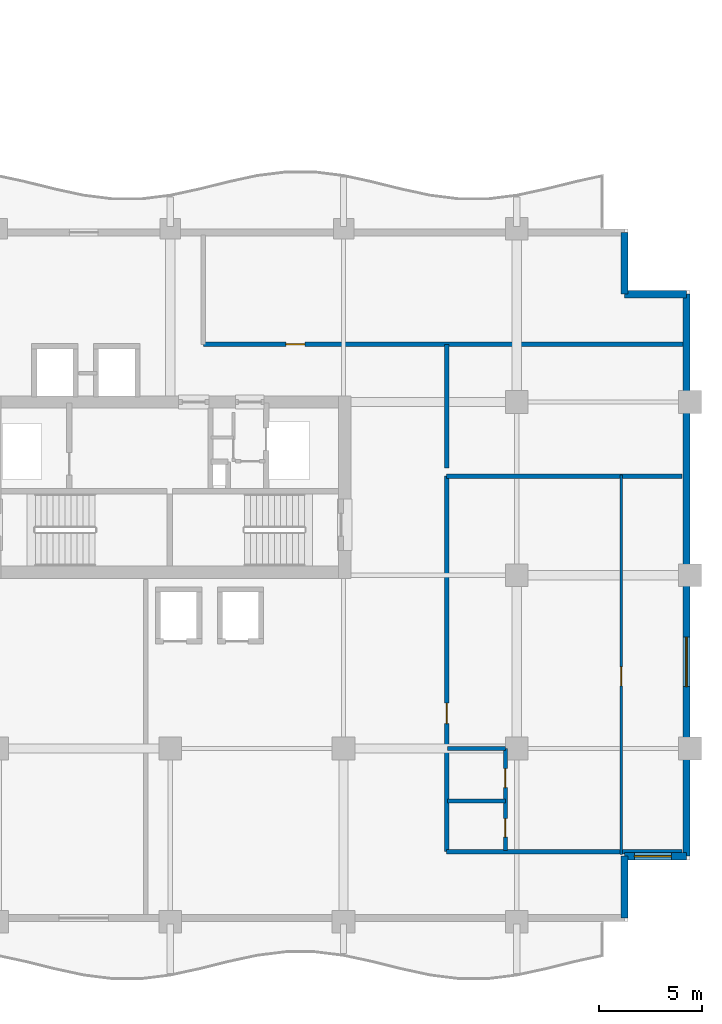
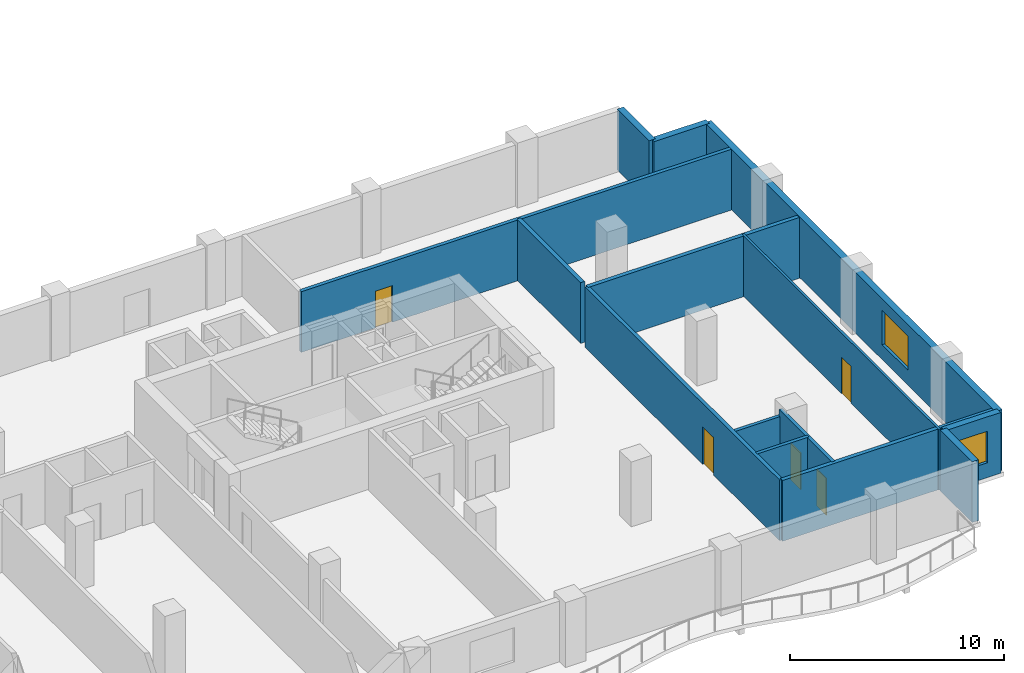
# One storey, part 9 of 15: 14 walls, 5 doors, 2 windows, 7 openings.
"""IFC4 building model written with IfcOpenShell, lengths in metres."""

from ifc_helpers import new_model, si_unit, direction, frame, frame_2d, origin, place, context, subcontext, project, spatial, rectangle, extrude, material, layer, layer_set, type_object, element, fill, save


model = new_model("IFC4")

# Units and contexts
model_context = context("Model", 3, precision=1e-05, world=origin(), true_north=direction((0.0, 1.0)))
body_context = subcontext(model_context, "Body", "Model", "MODEL_VIEW")
ifc_project = project(units=[si_unit("LENGTHUNIT", "METRE"), si_unit("AREAUNIT", "SQUARE_METRE"), si_unit("VOLUMEUNIT", "CUBIC_METRE"), si_unit("PLANEANGLEUNIT", "RADIAN"), si_unit("MASSUNIT", "GRAM", prefix="KILO")], contexts=[model_context])

# Site, building, storey
site_placement = place(None, origin())
site = spatial("IfcSite", under=ifc_project, at=site_placement, CompositionType="ELEMENT")
building_placement = place(site_placement, origin())
building = spatial("IfcBuilding", under=site, at=building_placement, Name="Koriwani Terraces Tower", CompositionType="ELEMENT")
storey_placement = place(building_placement, frame((0.0, 0.0, 193.89990234375)))
storey = spatial("IfcBuildingStorey", under=building, at=storey_placement, Name="L47", CompositionType="ELEMENT", Elevation=193.89990234375)

# Wall, opening, door
ifc_material_1 = material(Name="Autoclaved Cellular Concrete Blockwork", Category="masonry")
ifc_layer_1 = layer(ifc_material_1, 0.199951171875, Name="Autoclaved Cellular Concrete Blockwork")
ifc_layer_set_1 = layer_set([ifc_layer_1], Name="Autoclaved Cellular Concrete Blockwork")
wall_type_1 = type_object("IfcWallType", Name="WALL_CORRIDOR_200", PredefinedType="PARTITIONING", material=ifc_layer_set_1)
wall_1_placement = place(storey_placement, frame((63.800048828125, 3.39990234375, 0.0), z_axis=(0.0, 0.0, 1.0), x_axis=(0.0, 1.0, 0.0)))
wall_1 = element("IfcWall", 1, at=wall_1_placement, inside=storey, type_object=wall_type_1, Name="L47 Interior Wall WGB-L47-SETIP-W", PredefinedType="PARTITIONING", context=body_context, shape_type="SweptSolid", body=[
    extrude(rectangle(XDim=18.2001953125, YDim=0.199951171875, at=frame_2d((9.10009765625, 0.0))), origin(), (0.0, 0.0, 1.0), 3.47021484375),
])
opening_1_placement = place(wall_1_placement, frame((6.199951171875, 0.0, 0.0)))
opening_1 = element("IfcOpeningElement", 2, at=opening_1_placement, cuts=wall_1, Name="Opening D-05", PredefinedType="OPENING", context=body_context, shape_type="SweptSolid", body=[
    extrude(rectangle(XDim=1.0, YDim=2.14990234375, at=frame_2d((0.5, 1.074951171875))), frame((0.0, 0.10986328125, 0.0), z_axis=(0.0, -1.0, 0.0), x_axis=(1.0, 0.0, 0.0)), (0.0, 0.0, 1.0), 0.219970703125),
])
ifc_material_2 = material(Name="Architectural Oak Fire Door", Category="wood")
door_type_1 = type_object("IfcDoorType", Name="DOOR_SUITE_ENTRY_1000X2150", OperationType="NOTDEFINED", PredefinedType="DOOR", material=ifc_material_2)
door_1_placement = place(opening_1_placement, origin())
door_1 = element("IfcDoor", 3, at=door_1_placement, inside=storey, type_object=door_type_1, Name="Grand Apartment 47ET Entrance Door", OperationType="SINGLE_SWING_LEFT", OverallHeight=2.14990234375, OverallWidth=1.0, PredefinedType="DOOR", context=body_context, shape_type="SweptSolid", body=[
    extrude(rectangle(XDim=1.0, YDim=2.14990234375, at=frame_2d((0.5, 1.074951171875))), frame((0.0, 0.02490234375, 0.0), z_axis=(0.0, -1.0, 0.0), x_axis=(1.0, 0.0, 0.0)), (0.0, 0.0, 1.0), 0.050048828125),
])
fill(opening_1, door_1)

wall_2_placement = place(storey_placement, frame((52.0, 28.0, 0.0), z_axis=(0.0, 0.0, 1.0), x_axis=(1.0, 0.0, 0.0)))
wall_2 = element("IfcWall", 4, at=wall_2_placement, inside=storey, type_object=wall_type_1, Name="L47 Interior Wall WSET2-S-L47", PredefinedType="PARTITIONING", context=body_context, shape_type="SweptSolid", body=[
    extrude(rectangle(XDim=23.25, YDim=0.199951171875, at=frame_2d((11.625, 0.0))), origin(), (0.0, 0.0, 1.0), 3.47021484375),
])
opening_2_placement = place(wall_2_placement, frame((4.0, 0.0, 0.0)))
opening_2 = element("IfcOpeningElement", 5, at=opening_2_placement, cuts=wall_2, Name="Opening D-06", PredefinedType="OPENING", context=body_context, shape_type="SweptSolid", body=[
    extrude(rectangle(XDim=0.919921875, YDim=2.10009765625, at=frame_2d((0.4599609375, 1.050048828125))), frame((0.0, 0.10986328125, 0.0), z_axis=(0.0, -1.0, 0.0), x_axis=(1.0, 0.0, 0.0)), (0.0, 0.0, 1.0), 0.219970703125),
])
door_type_2 = type_object("IfcDoorType", Name="DOOR_ROOM_INT_920X2100", OperationType="NOTDEFINED", PredefinedType="DOOR", material=ifc_material_2)
door_2_placement = place(opening_2_placement, origin())
door_2 = element("IfcDoor", 6, at=door_2_placement, inside=storey, type_object=door_type_2, Name="L47 East Court Salon Door", OperationType="SINGLE_SWING_LEFT", OverallHeight=2.10009765625, OverallWidth=0.919921875, PredefinedType="DOOR", context=body_context, shape_type="SweptSolid", body=[
    extrude(rectangle(XDim=0.919921875, YDim=2.10009765625, at=frame_2d((0.4599609375, 1.050048828125))), frame((0.0, 0.02490234375, 0.0), z_axis=(0.0, -1.0, 0.0), x_axis=(1.0, 0.0, 0.0)), (0.0, 0.0, 1.0), 0.050048828125),
])
fill(opening_2, door_2)

# Walls
ifc_layer_2 = layer(ifc_material_1, 0.219970703125, Name="Autoclaved Cellular Concrete Blockwork")
ifc_layer_set_2 = layer_set([ifc_layer_2], Name="Autoclaved Cellular Concrete Blockwork")
wall_type_2 = type_object("IfcWallType", Name="WALL_DEMISING_220", PredefinedType="PARTITIONING", material=ifc_layer_set_2)
for number, where, z_axis, x_axis, name in (
    (7, (63.800048828125, 3.39990234375, 0.0), (0.0, 0.0, 1.0), (1.0, 0.0, 0.0), "L47 Interior Wall WGB-L47-SETIP-S"),
    (8, (63.800048828125, 21.60009765625, 0.0), (0.0, 0.0, 1.0), (1.0, 0.0, 0.0), "L47 Interior Wall WGB-L47-SETIP-N"),
):
    element("IfcWall", number, at=place(storey_placement, frame(where, z_axis=z_axis, x_axis=x_axis)), inside=storey, type_object=wall_type_2, Name=name, PredefinedType="PARTITIONING", context=body_context, shape_type="SweptSolid", body=[
        extrude(rectangle(XDim=11.419921875, YDim=0.219970703125, at=frame_2d((5.7099609375, 0.0))), origin(), (0.0, 0.0, 1.0), 3.47021484375),
    ])
wall_3_placement = place(storey_placement, frame((63.800048828125, 22.0, 0.0), z_axis=(0.0, 0.0, 1.0), x_axis=(0.0, 1.0, 0.0)))
element("IfcWall", 9, at=wall_3_placement, inside=storey, type_object=wall_type_2, Name="L47 Interior Wall WSET2-SW-L47", PredefinedType="PARTITIONING", context=body_context, shape_type="SweptSolid", body=[
    extrude(rectangle(XDim=6.0, YDim=0.219970703125, at=frame_2d((3.0, 0.0))), origin(), (0.0, 0.0, 1.0), 3.47021484375),
])
ifc_material_3 = material(Name="Concrete C50/60", Category="concrete")
ifc_layer_3 = layer(ifc_material_3, 0.35009765625, Name="Concrete C50/60")
ifc_layer_set_3 = layer_set([ifc_layer_3], Name="Concrete C50/60")
wall_type_3 = type_object("IfcWallType", Name="WALL_EXT_BRUTALIST_350", PredefinedType="STANDARD", material=ifc_layer_set_3)
for number, where, z_axis, x_axis, name in (
    (10, (72.425048828125, 33.425048828125, 0.0), (0.0, 0.0, 1.0), (0.0, -1.0, 0.0), "L47 Fair-Faced Brutalist Exterior Wall (N10)"),
    (11, (72.425048828125, 30.425048828125, 0.0), (0.0, 0.0, 1.0), (1.0, 0.0, 0.0), "L47 Fair-Faced Brutalist Exterior Wall (N11)"),
):
    element("IfcWall", number, at=place(storey_placement, frame(where, z_axis=z_axis, x_axis=x_axis)), inside=storey, type_object=wall_type_3, Name=name, PredefinedType="STANDARD", context=body_context, shape_type="SweptSolid", body=[
        extrude(rectangle(XDim=3.0, YDim=0.35009765625, at=frame_2d((1.5, 0.0))), origin(), (0.0, 0.0, 1.0), 3.47021484375),
    ])

# Wall, opening, window
wall_4_placement = place(storey_placement, frame((75.425048828125, 30.425048828125, 0.0), z_axis=(0.0, 0.0, 1.0), x_axis=(0.0, -1.0, 0.0)))
wall_4 = element("IfcWall", 12, at=wall_4_placement, inside=storey, type_object=wall_type_3, Name="L47 Fair-Faced Brutalist Exterior Wall (E_TIP)", PredefinedType="STANDARD", context=body_context, shape_type="SweptSolid", body=[
    extrude(rectangle(XDim=27.25, YDim=0.35009765625, at=frame_2d((13.625, 0.0))), origin(), (0.0, 0.0, 1.0), 3.47021484375),
])
opening_3_placement = place(wall_4_placement, frame((16.625, 0.0, 0.85009765625)))
opening_3 = element("IfcOpeningElement", 13, at=opening_3_placement, cuts=wall_4, Name="Opening W-03", PredefinedType="OPENING", context=body_context, shape_type="SweptSolid", body=[
    extrude(rectangle(XDim=2.39990234375, YDim=1.949951171875, at=frame_2d((1.199951171875, 0.97509765625))), frame((0.0, 0.18505859375, 0.0), z_axis=(0.0, -1.0, 0.0), x_axis=(1.0, 0.0, 0.0)), (0.0, 0.0, 1.0), 0.3701171875),
])
ifc_material_4 = material(Name="Tempered Laminated Low-E Glass", Category="glass")
window_type_1 = type_object("IfcWindowType", Name="WIN_RES_LIVING_2400X1950", PartitioningType="DOUBLE_PANEL_VERTICAL", PredefinedType="WINDOW", material=ifc_material_4)
window_1_placement = place(opening_3_placement, origin())
window_1 = element("IfcWindow", 14, at=window_1_placement, inside=storey, type_object=window_type_1, Name="L47 Exterior Window (E_TIP-3)", OverallHeight=1.949951171875, OverallWidth=2.39990234375, PartitioningType="SINGLE_PANEL", PredefinedType="WINDOW", context=body_context, shape_type="SweptSolid", body=[
    extrude(rectangle(XDim=2.39990234375, YDim=1.949951171875, at=frame_2d((1.199951171875, 0.97509765625))), frame((0.0, 0.030029296875, 0.0), z_axis=(0.0, -1.0, 0.0), x_axis=(1.0, 0.0, 0.0)), (0.0, 0.0, 1.0), 0.06005859375),
])
fill(opening_3, window_1)

wall_5_placement = place(storey_placement, frame((75.425048828125, 3.175048828125, 0.0), z_axis=(0.0, 0.0, 1.0), x_axis=(-1.0, 0.0, 0.0)))
wall_5 = element("IfcWall", 15, at=wall_5_placement, inside=storey, type_object=wall_type_3, Name="L47 Fair-Faced Brutalist Exterior Wall (N13)", PredefinedType="STANDARD", context=body_context, shape_type="SweptSolid", body=[
    extrude(rectangle(XDim=3.0, YDim=0.35009765625, at=frame_2d((1.5, 0.0))), origin(), (0.0, 0.0, 1.0), 3.47021484375),
])
opening_4_placement = place(wall_5_placement, frame((0.7275390625, 0.0, 0.85009765625)))
opening_4 = element("IfcOpeningElement", 16, at=opening_4_placement, cuts=wall_5, Name="Opening W-04", PredefinedType="OPENING", context=body_context, shape_type="SweptSolid", body=[
    extrude(rectangle(XDim=1.800048828125, YDim=1.800048828125, at=frame_2d((0.89990234375, 0.89990234375))), frame((0.0, 0.18505859375, 0.0), z_axis=(0.0, -1.0, 0.0), x_axis=(1.0, 0.0, 0.0)), (0.0, 0.0, 1.0), 0.3701171875),
])
window_type_2 = type_object("IfcWindowType", Name="WIN_RES_BED_1800X1800", PartitioningType="DOUBLE_PANEL_VERTICAL", PredefinedType="WINDOW", material=ifc_material_4)
window_2_placement = place(opening_4_placement, origin())
window_2 = element("IfcWindow", 17, at=window_2_placement, inside=storey, type_object=window_type_2, Name="L47 Exterior Window (N13-R60)", OverallHeight=1.800048828125, OverallWidth=1.800048828125, PartitioningType="SINGLE_PANEL", PredefinedType="WINDOW", context=body_context, shape_type="SweptSolid", body=[
    extrude(rectangle(XDim=1.800048828125, YDim=1.800048828125, at=frame_2d((0.89990234375, 0.89990234375))), frame((0.0, 0.030029296875, 0.0), z_axis=(0.0, -1.0, 0.0), x_axis=(1.0, 0.0, 0.0)), (0.0, 0.0, 1.0), 0.06005859375),
])
fill(opening_4, window_2)

# Wall
wall_6_placement = place(storey_placement, frame((72.425048828125, 3.175048828125, 0.0), z_axis=(0.0, 0.0, 1.0), x_axis=(0.0, -1.0, 0.0)))
element("IfcWall", 18, at=wall_6_placement, inside=storey, type_object=wall_type_3, Name="L47 Fair-Faced Brutalist Exterior Wall (N14)", PredefinedType="STANDARD", context=body_context, shape_type="SweptSolid", body=[
    extrude(rectangle(XDim=3.0, YDim=0.35009765625, at=frame_2d((1.5, 0.0))), origin(), (0.0, 0.0, 1.0), 3.47021484375),
])

# Wall, opening, door
ifc_material_5 = material(Name="Fire-Rated Acoustic Gypsum Partition", Category="masonry")
ifc_layer_4 = layer(ifc_material_5, 0.125, Name="Fire-Rated Acoustic Gypsum Partition")
ifc_layer_set_4 = layer_set([ifc_layer_4], Name="Fire-Rated Acoustic Gypsum Partition")
wall_type_4 = type_object("IfcWallType", Name="WALL_INT_125", PredefinedType="PARTITIONING", material=ifc_layer_set_4)
wall_7_placement = place(storey_placement, frame((72.27001953125, 3.25, 0.0), z_axis=(0.0, 0.0, 1.0), x_axis=(0.0, 1.0, 0.0)))
wall_7 = element("IfcWall", 19, at=wall_7_placement, inside=storey, type_object=wall_type_4, Name="L47 Interior Wall WGB-L47-SETIP-BD", PredefinedType="PARTITIONING", context=body_context, shape_type="SweptSolid", body=[
    extrude(rectangle(XDim=18.39990234375, YDim=0.125, at=frame_2d((9.199951171875, 0.0))), origin(), (0.0, 0.0, 1.0), 3.47021484375),
])
opening_5_placement = place(wall_7_placement, frame((8.18994140625, 0.0, 0.0)))
opening_5 = element("IfcOpeningElement", 20, at=opening_5_placement, cuts=wall_7, Name="Opening D-06", PredefinedType="OPENING", context=body_context, shape_type="SweptSolid", body=[
    extrude(rectangle(XDim=0.919921875, YDim=2.10009765625, at=frame_2d((0.4599609375, 1.050048828125))), frame((0.0, 0.072509765625, 0.0), z_axis=(0.0, -1.0, 0.0), x_axis=(1.0, 0.0, 0.0)), (0.0, 0.0, 1.0), 0.14501953125),
])
door_3_placement = place(opening_5_placement, origin())
door_3 = element("IfcDoor", 21, at=door_3_placement, inside=storey, type_object=door_type_2, Name="Grand Apartment 47ET Master Suite Door", OperationType="SINGLE_SWING_RIGHT", OverallHeight=2.10009765625, OverallWidth=0.919921875, PredefinedType="DOOR", context=body_context, shape_type="SweptSolid", body=[
    extrude(rectangle(XDim=0.919921875, YDim=2.10009765625, at=frame_2d((0.4599609375, 1.050048828125))), frame((0.0, 0.02490234375, 0.0), z_axis=(0.0, -1.0, 0.0), x_axis=(1.0, 0.0, 0.0)), (0.0, 0.0, 1.0), 0.050048828125),
])
fill(opening_5, door_3)

# Wall, openings, doors
ifc_layer_5 = layer(ifc_material_5, 0.179931640625, Name="Fire-Rated Acoustic Gypsum Partition")
ifc_layer_set_5 = layer_set([ifc_layer_5], Name="Fire-Rated Acoustic Gypsum Partition")
wall_type_5 = type_object("IfcWallType", Name="WALL_PLUMBING_180", PredefinedType="PLUMBINGWALL", material=ifc_layer_set_5)
wall_8_placement = place(storey_placement, frame((66.64990234375, 3.449951171875, 0.0), z_axis=(0.0, 0.0, 1.0), x_axis=(0.0, 1.0, 0.0)))
wall_8 = element("IfcWall", 22, at=wall_8_placement, inside=storey, type_object=wall_type_5, Name="L47 Interior Wall WGB-L47-SETIP-SVB", PredefinedType="PLUMBINGWALL", context=body_context, shape_type="SweptSolid", body=[
    extrude(rectangle(XDim=4.949951171875, YDim=0.179931640625, at=frame_2d((2.47509765625, 0.0))), origin(), (0.0, 0.0, 1.0), 3.47021484375),
])
opening_6_placement = place(wall_8_placement, frame((0.64990234375, 0.0, 0.0)))
opening_6 = element("IfcOpeningElement", 23, at=opening_6_placement, cuts=wall_8, Name="Opening D-07", PredefinedType="OPENING", context=body_context, shape_type="SweptSolid", body=[
    extrude(rectangle(XDim=0.89990234375, YDim=2.10009765625, at=frame_2d((0.449951171875, 1.050048828125))), frame((0.0, 0.10009765625, 0.0), z_axis=(0.0, -1.0, 0.0), x_axis=(1.0, 0.0, 0.0)), (0.0, 0.0, 1.0), 0.199951171875),
])
opening_7_placement = place(wall_8_placement, frame((3.050048828125, 0.0, 0.0)))
opening_7 = element("IfcOpeningElement", 24, at=opening_7_placement, cuts=wall_8, Name="Opening D-06", PredefinedType="OPENING", context=body_context, shape_type="SweptSolid", body=[
    extrude(rectangle(XDim=0.919921875, YDim=2.10009765625, at=frame_2d((0.4599609375, 1.050048828125))), frame((0.0, 0.10009765625, 0.0), z_axis=(0.0, -1.0, 0.0), x_axis=(1.0, 0.0, 0.0)), (0.0, 0.0, 1.0), 0.199951171875),
])
door_type_3 = type_object("IfcDoorType", Name="DOOR_BATH_INT_900X2100", OperationType="NOTDEFINED", PredefinedType="DOOR", material=ifc_material_2)
door_4_placement = place(opening_6_placement, origin())
door_4 = element("IfcDoor", 25, at=door_4_placement, inside=storey, type_object=door_type_3, Name="Grand Apartment 47ET Bathroom Door", OperationType="SINGLE_SWING_RIGHT", OverallHeight=2.10009765625, OverallWidth=0.89990234375, PredefinedType="DOOR", context=body_context, shape_type="SweptSolid", body=[
    extrude(rectangle(XDim=0.89990234375, YDim=2.10009765625, at=frame_2d((0.449951171875, 1.050048828125))), frame((0.0, 0.02490234375, 0.0), z_axis=(0.0, -1.0, 0.0), x_axis=(1.0, 0.0, 0.0)), (0.0, 0.0, 1.0), 0.050048828125),
])
fill(opening_6, door_4)
door_5_placement = place(opening_7_placement, origin())
door_5 = element("IfcDoor", 26, at=door_5_placement, inside=storey, type_object=door_type_2, Name="Grand Apartment 47ET Kitchen Door", OperationType="SINGLE_SWING_LEFT", OverallHeight=2.10009765625, OverallWidth=0.919921875, PredefinedType="DOOR", context=body_context, shape_type="SweptSolid", body=[
    extrude(rectangle(XDim=0.919921875, YDim=2.10009765625, at=frame_2d((0.4599609375, 1.050048828125))), frame((0.0, 0.02490234375, 0.0), z_axis=(0.0, -1.0, 0.0), x_axis=(1.0, 0.0, 0.0)), (0.0, 0.0, 1.0), 0.050048828125),
])
fill(opening_7, door_5)

# Walls
wall_9_placement = place(storey_placement, frame((63.85009765625, 5.85009765625, 0.0), z_axis=(0.0, 0.0, 1.0), x_axis=(1.0, 0.0, 0.0)))
element("IfcWall", 27, at=wall_9_placement, inside=storey, type_object=wall_type_5, Name="L47 Interior Wall WGB-L47-SETIP-SVM", PredefinedType="PLUMBINGWALL", context=body_context, shape_type="SweptSolid", body=[
    extrude(rectangle(XDim=2.7998046875, YDim=0.179931640625, at=frame_2d((1.39990234375, 0.0))), origin(), (0.0, 0.0, 1.0), 3.47021484375),
])
wall_10_placement = place(storey_placement, frame((63.85009765625, 8.39990234375, 0.0), z_axis=(0.0, 0.0, 1.0), x_axis=(1.0, 0.0, 0.0)))
element("IfcWall", 28, at=wall_10_placement, inside=storey, type_object=wall_type_5, Name="L47 Interior Wall WGB-L47-SETIP-SV2", PredefinedType="PLUMBINGWALL", context=body_context, shape_type="SweptSolid", body=[
    extrude(rectangle(XDim=2.7998046875, YDim=0.179931640625, at=frame_2d((1.39990234375, 0.0))), origin(), (0.0, 0.0, 1.0), 3.1162109375),
])

save(model, "model.ifc")
